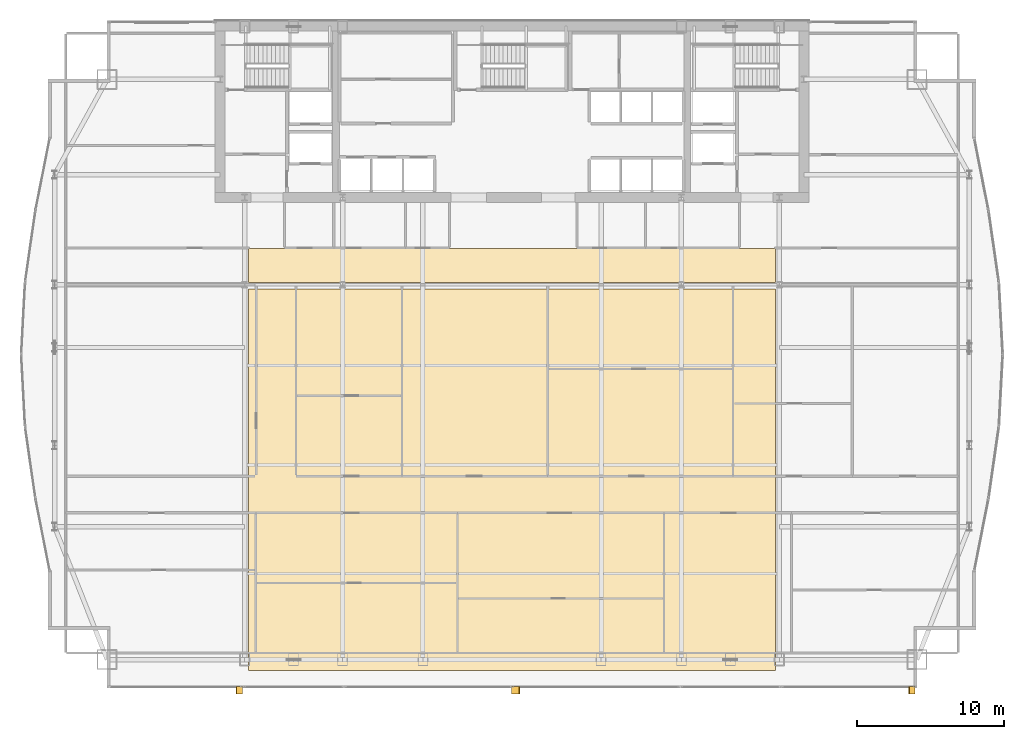
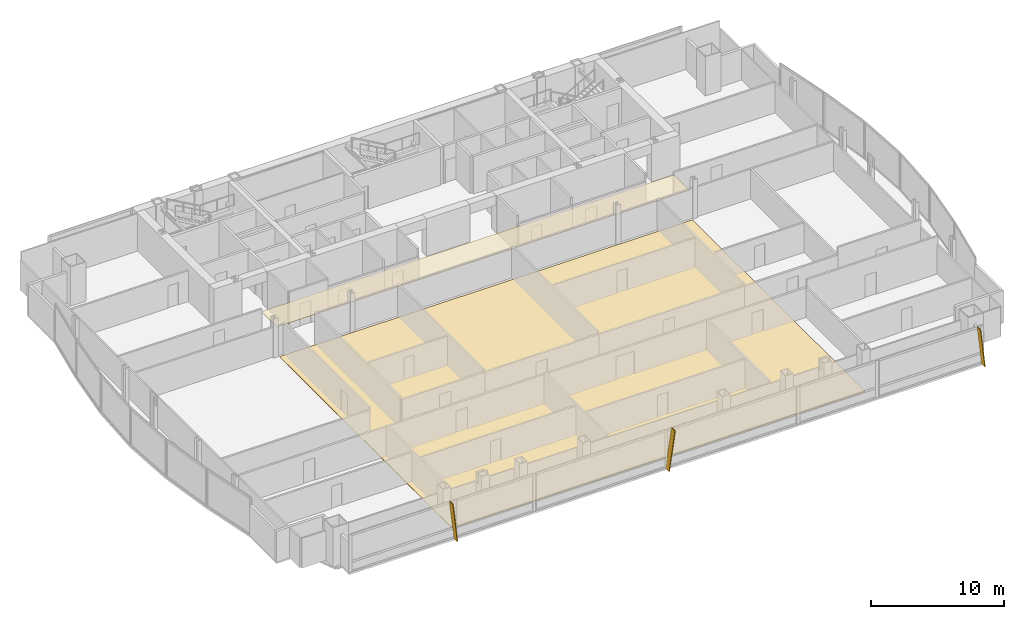
# One storey, part 28 of 29: 3 shading devices, 2 coverings.
"""IFC4 building model written with IfcOpenShell, lengths in metres."""

from ifc_helpers import new_model, si_unit, direction, frame, origin, place, context, subcontext, project, spatial, polyline, outline, extrude, material, layer, layer_set, type_object, element, save


model = new_model("IFC4")

# Units and contexts
model_context = context("Model", 3, precision=1e-05, world=origin(), true_north=direction((0.0, 1.0)))
body_context = subcontext(model_context, "Body", "Model", "MODEL_VIEW")
ifc_project = project(units=[si_unit("LENGTHUNIT", "METRE"), si_unit("AREAUNIT", "SQUARE_METRE"), si_unit("VOLUMEUNIT", "CUBIC_METRE"), si_unit("PLANEANGLEUNIT", "RADIAN"), si_unit("MASSUNIT", "GRAM", prefix="KILO")], contexts=[model_context])

# Site, building, storey
site_placement = place(None, origin())
site = spatial("IfcSite", under=ifc_project, at=site_placement, CompositionType="ELEMENT")
building_placement = place(site_placement, origin())
building = spatial("IfcBuilding", under=site, at=building_placement, Name="Khoronbel Lancet Exchange", CompositionType="ELEMENT")
storey_placement = place(building_placement, frame((0.0, 0.0, 154.199951171875)))
storey = spatial("IfcBuildingStorey", under=building, at=storey_placement, Name="L38", CompositionType="ELEMENT", Elevation=154.199951171875)

# Coverings
ifc_material_1 = material(Name="Micro-Perforated Bronze Acoustic Metal Ceiling Tile", Category="aluminium")
ifc_layer_1 = layer(ifc_material_1, 0.0400390625, Name="Micro-Perforated Bronze Acoustic Metal Ceiling Tile")
ifc_layer_set_1 = layer_set([ifc_layer_1], Name="Micro-Perforated Bronze Acoustic Metal Ceiling Tile")
covering_type_1 = type_object("IfcCoveringType", Name="COV-CEIL1", PredefinedType="CEILING", material=ifc_layer_set_1)
covering_1_placement = place(storey_placement, frame((0.0, 0.0, 2.43994140625)))
element("IfcCovering", 1, at=covering_1_placement, inside=storey, type_object=covering_type_1, Name="Level L38 corridor acoustic metal ceiling", PredefinedType="CEILING", context=body_context, shape_type="SweptSolid", body=[
    extrude(outline(polyline([(18.5, 35.85009765625), (54.39990234375, 35.85009765625), (54.39990234375, 38.179931640625), (18.5, 38.179931640625), (18.5, 35.85009765625)])), origin(), (0.0, 0.0, 1.0), 0.0400390625),
])
ifc_material_2 = material(Name="Honed Egyptian Galala Marble & Raised Access Floor Finish", Category="masonry")
ifc_layer_2 = layer(ifc_material_2, 0.030029296875, Name="Honed Egyptian Galala Marble & Raised Access Floor Finish")
ifc_layer_set_2 = layer_set([ifc_layer_2], Name="Honed Egyptian Galala Marble & Raised Access Floor Finish")
covering_type_2 = type_object("IfcCoveringType", Name="COV-FLR1", PredefinedType="FLOORING", material=ifc_layer_set_2)
covering_2_placement = place(storey_placement, origin())
element("IfcCovering", 2, at=covering_2_placement, inside=storey, type_object=covering_type_2, Name="Level L38 anti-static raised access floor finish", PredefinedType="FLOORING", context=body_context, shape_type="SweptSolid", body=[
    extrude(outline(polyline([(18.5, 9.39990234375), (54.39990234375, 9.39990234375), (54.39990234375, 35.39990234375), (18.5, 35.39990234375), (18.5, 9.39990234375)])), origin(), (0.0, 0.0, 1.0), 0.030029296875),
])

# Shading devices
ifc_material_3 = material(Name="Bronze-Anodised Aluminium 6063-T6", Category="aluminium")
ifc_layer_3 = layer(ifc_material_3, 0.054931640625, Name="Bronze-Anodised Aluminium 6063-T6")
ifc_layer_set_3 = layer_set([ifc_layer_3], Name="Bronze-Anodised Aluminium 6063-T6")
shading_device_type = type_object("IfcShadingDeviceType", Name="SHD-FIN1", PredefinedType="USERDEFINED", material=ifc_layer_set_3)
shading_device_1_placement = place(storey_placement, frame((18.072509765625, 8.31005859375, -0.079833984375), z_axis=(0.99389951861, 0.0, 0.110289378034), x_axis=(0.0, -1.0, 0.0)))
element("IfcShadingDevice", 3, at=shading_device_1_placement, inside=storey, type_object=shading_device_type, Name="Slanted bronze solar fin CW-L38-SWV-1", ObjectType="FIN", PredefinedType="USERDEFINED", context=body_context, shape_type="SweptSolid", body=[
    extrude(outline(polyline([(0.0, 0.0), (0.52001953125, 0.0), (0.52001953125, -3.58154296875), (0.0, -3.58154296875), (0.0, 0.0)])), origin(), (0.0, 0.0, -1.0), 0.054931640625),
])
shading_device_2_placement = place(storey_placement, frame((36.422607421875, 8.31005859375, -0.079833984375), z_axis=(-0.990091586433, 0.0, 0.14042311232), x_axis=(0.0, -1.0, 0.0)))
element("IfcShadingDevice", 4, at=shading_device_2_placement, inside=storey, type_object=shading_device_type, Name="Slanted bronze solar fin CW-L38-SCV-1", ObjectType="FIN", PredefinedType="USERDEFINED", context=body_context, shape_type="SweptSolid", body=[
    extrude(outline(polyline([(0.0, 0.0), (0.52001953125, 0.0), (0.52001953125, 3.595458984375), (0.0, 3.595458984375), (0.0, 0.0)])), origin(), (0.0, 0.0, -1.0), 0.054931640625),
])
shading_device_3_placement = place(storey_placement, frame((63.9326171875, 8.31005859375, -0.079833984375), z_axis=(0.99389951861, 0.0, 0.110289378034), x_axis=(0.0, -1.0, 0.0)))
element("IfcShadingDevice", 5, at=shading_device_3_placement, inside=storey, type_object=shading_device_type, Name="Slanted bronze solar fin CW-L38-SEV-1", ObjectType="FIN", PredefinedType="USERDEFINED", context=body_context, shape_type="SweptSolid", body=[
    extrude(outline(polyline([(0.0, 0.0), (0.52001953125, 0.0), (0.52001953125, -3.58154296875), (0.0, -3.58154296875), (0.0, 0.0)])), origin(), (0.0, 0.0, -1.0), 0.054931640625),
])

save(model, "model.ifc")
